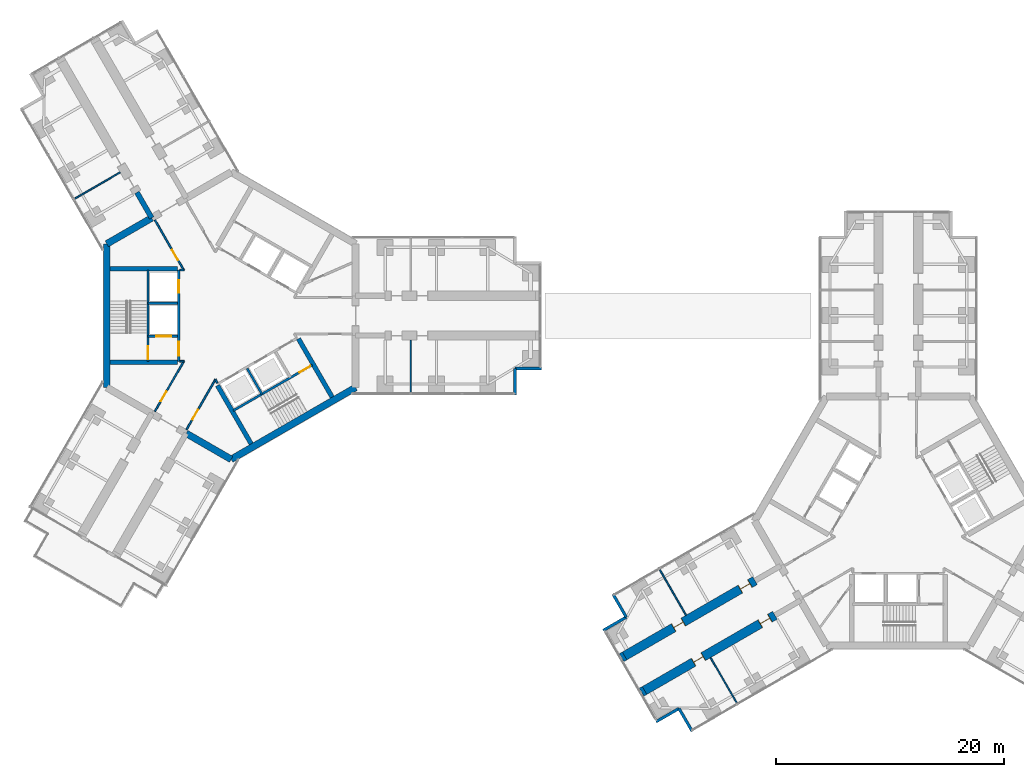
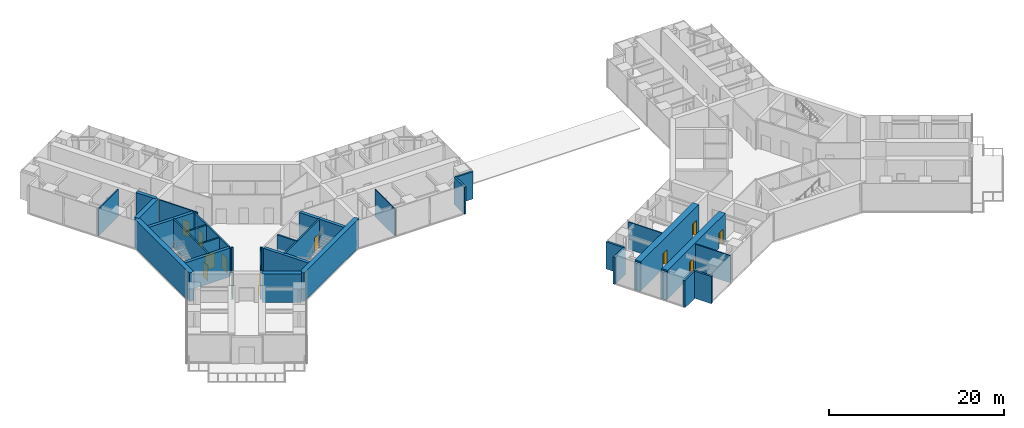
# One storey, part 15 of 22: 35 walls, 12 doors, 12 openings.
"""IFC4 building model written with IfcOpenShell, lengths in metres."""

from ifc_helpers import new_model, si_unit, direction, frame, frame_2d, origin, place, context, subcontext, project, spatial, rectangle, extrude, material, layer, layer_set, type_object, element, fill, save


model = new_model("IFC4")

# Units and contexts
model_context = context("Model", 3, precision=1e-05, world=origin(), true_north=direction((0.0, 1.0)))
body_context = subcontext(model_context, "Body", "Model", "MODEL_VIEW")
ifc_project = project(units=[si_unit("LENGTHUNIT", "METRE"), si_unit("AREAUNIT", "SQUARE_METRE"), si_unit("VOLUMEUNIT", "CUBIC_METRE"), si_unit("PLANEANGLEUNIT", "RADIAN"), si_unit("MASSUNIT", "GRAM", prefix="KILO")], contexts=[model_context])

# Site, building, storey
site_placement = place(None, origin())
site = spatial("IfcSite", under=ifc_project, at=site_placement, CompositionType="ELEMENT")
building_placement = place(site_placement, origin())
building = spatial("IfcBuilding", under=site, at=building_placement, Name="Upepo Twin Towers", CompositionType="ELEMENT")
storey_placement = place(building_placement, frame((0.0, 0.0, 97.5)))
storey = spatial("IfcBuildingStorey", under=building, at=storey_placement, Name="L23", CompositionType="ELEMENT", Elevation=97.5)

# Walls
ifc_material_1 = material(Name="Dense concrete blockwork", Category="masonry")
ifc_layer_1 = layer(ifc_material_1, 0.800048828125)
ifc_layer_set_1 = layer_set([ifc_layer_1], Name="Buttress closer 800, blockwork with fire-stopping to the curtain wall")
wall_type_1 = type_object("IfcWallType", Name="Buttress closer 800, blockwork with fire-stopping to the curtain wall", PredefinedType="PARTITIONING", material=ifc_layer_set_1)
wall_1_placement = place(storey_placement, frame((36.252197265625, -32.865478515625, 0.0), z_axis=(0.0, 0.0, 1.0), x_axis=(-0.865778900179, -0.500426713919, 0.0)))
element("IfcWall", 1, at=wall_1_placement, inside=storey, type_object=wall_type_1, Name="T2 L23 wing B buttress closer L", PredefinedType="PARTITIONING", context=body_context, shape_type="SweptSolid", body=[
    extrude(rectangle(XDim=0.300048828125, YDim=0.800048828125, at=frame_2d((0.14990234375, 0.0))), origin(), (0.0, 0.0, 1.0), 3.800048828125),
])
wall_2_placement = place(storey_placement, frame((34.502197265625, -29.83447265625, 0.0), z_axis=(0.0, 0.0, 1.0), x_axis=(-0.866131372301, -0.499816412211, 0.0)))
element("IfcWall", 2, at=wall_2_placement, inside=storey, type_object=wall_type_1, Name="T2 L23 wing B buttress closer R", PredefinedType="PARTITIONING", context=body_context, shape_type="SweptSolid", body=[
    extrude(rectangle(XDim=0.2998046875, YDim=0.800048828125, at=frame_2d((0.14990234375, 0.0))), origin(), (0.0, 0.0, 1.0), 3.800048828125),
])
ifc_material_2 = material(Name="Concrete C60/75", Category="concrete")
ifc_layer_2 = layer(ifc_material_2, 0.449951171875)
ifc_layer_set_2 = layer_set([ifc_layer_2], Name="Concrete C60/75")
wall_type_2 = type_object("IfcWallType", Name="Buttress wall 450 RC", PredefinedType="SHEAR", material=ifc_layer_set_2)
wall_3_placement = place(storey_placement, frame((-6.9697265625, 8.57177734375, 0.0), z_axis=(0.0, 0.0, 1.0), x_axis=(-0.499988811324, 0.866031863473, 0.0)))
element("IfcWall", 3, at=wall_3_placement, inside=storey, type_object=wall_type_2, Name="T1 wing B buttress wall L", PredefinedType="SHEAR", context=body_context, shape_type="SweptSolid", body=[
    extrude(rectangle(XDim=2.591796875, YDim=0.449951171875, at=frame_2d((1.2958984375, 0.0))), origin(), (0.0, 0.0, 1.0), 4.0),
])

# Wall, openings, doors
ifc_material_3 = material(Name="Concrete C60/75", Category="concrete")
ifc_layer_3 = layer(ifc_material_3, 0.800048828125)
ifc_layer_set_3 = layer_set([ifc_layer_3], Name="Concrete C60/75")
wall_type_3 = type_object("IfcWallType", Name="Buttress wall 800 RC", PredefinedType="SHEAR", material=ifc_layer_set_3)
wall_4_placement = place(storey_placement, frame((47.68359375, -26.265625, 0.0), z_axis=(0.0, 0.0, 1.0), x_axis=(-0.866027579429, -0.499996231654, 0.0)))
wall_4 = element("IfcWall", 4, at=wall_4_placement, inside=storey, type_object=wall_type_3, Name="T2 wing B buttress wall L part 2", PredefinedType="SHEAR", context=body_context, shape_type="SweptSolid", body=[
    extrude(rectangle(XDim=13.19970703125, YDim=0.800048828125, at=frame_2d((6.599853515625, 0.0))), origin(), (0.0, 0.0, 1.0), 4.0),
])
opening_1_placement = place(wall_4_placement, frame((0.5, 0.0, 0.0)))
opening_1 = element("IfcOpeningElement", 5, at=opening_1_placement, cuts=wall_4, Name="Opening D15", PredefinedType="OPENING", context=body_context, shape_type="SweptSolid", body=[
    extrude(rectangle(XDim=1.0, YDim=2.10009765625, at=frame_2d((0.5, 1.050048828125))), frame((0.0, 0.409912109375, 0.0), z_axis=(0.0, -1.0, 0.0), x_axis=(1.0, 0.0, 0.0)), (0.0, 0.0, 1.0), 0.820068359375),
])
opening_2_placement = place(wall_4_placement, frame((7.25, 0.0, 0.0)))
opening_2 = element("IfcOpeningElement", 6, at=opening_2_placement, cuts=wall_4, Name="Opening D15", PredefinedType="OPENING", context=body_context, shape_type="SweptSolid", body=[
    extrude(rectangle(XDim=1.0, YDim=2.10009765625, at=frame_2d((0.5, 1.050048828125))), frame((0.0, 0.409912109375, 0.0), z_axis=(0.0, -1.0, 0.0), x_axis=(1.0, 0.0, 0.0)), (0.0, 0.0, 1.0), 0.820068359375),
])
ifc_material_4 = material(Name="Timber doorset", Category="wood")
door_type_1 = type_object("IfcDoorType", Name="Glazed door 1000 FD30", OperationType="SINGLE_SWING_LEFT", PredefinedType="DOOR", material=ifc_material_4)
door_1_placement = place(opening_1_placement, origin())
door_1 = element("IfcDoor", 7, at=door_1_placement, inside=storey, type_object=door_type_1, Name="T2 L23 postgraduate research office door", OperationType="SINGLE_SWING_LEFT", OverallHeight=2.10009765625, OverallWidth=1.0, PredefinedType="DOOR", context=body_context, shape_type="SweptSolid", body=[
    extrude(rectangle(XDim=0.92, YDim=2.06009765625, at=frame_2d((0.5, 1.030029296875))), frame((0.0, 0.02490234375, 0.0), z_axis=(0.0, -1.0, 0.0), x_axis=(1.0, 0.0, 0.0)), (0.0, 0.0, 1.0), 0.050048828125),
    extrude(rectangle(XDim=0.04, YDim=2.10009765625, at=frame_2d((0.02001953125, 1.050048828125))), frame((0.0, 0.39990234375, 0.0), z_axis=(0.0, -1.0, 0.0), x_axis=(1.0, 0.0, 0.0)), (0.0, 0.0, 1.0), 0.799560546875),
    extrude(rectangle(XDim=0.04, YDim=2.10009765625, at=frame_2d((0.97998046875, 1.050048828125))), frame((0.0, 0.39990234375, 0.0), z_axis=(0.0, -1.0, 0.0), x_axis=(1.0, 0.0, 0.0)), (0.0, 0.0, 1.0), 0.799560546875),
    extrude(rectangle(XDim=0.92, YDim=0.04, at=frame_2d((0.5, 2.080078125))), frame((0.0, 0.39990234375, 0.0), z_axis=(0.0, -1.0, 0.0), x_axis=(1.0, 0.0, 0.0)), (0.0, 0.0, 1.0), 0.799560546875),
])
fill(opening_1, door_1)
door_2_placement = place(opening_2_placement, origin())
door_2 = element("IfcDoor", 8, at=door_2_placement, inside=storey, type_object=door_type_1, Name="T2 L23 faculty office door", OperationType="SINGLE_SWING_RIGHT", OverallHeight=2.10009765625, OverallWidth=1.0, PredefinedType="DOOR", context=body_context, shape_type="SweptSolid", body=[
    extrude(rectangle(XDim=0.92, YDim=2.06009765625, at=frame_2d((0.5, 1.030029296875))), frame((0.0, 0.02490234375, 0.0), z_axis=(0.0, -1.0, 0.0), x_axis=(1.0, 0.0, 0.0)), (0.0, 0.0, 1.0), 0.050048828125),
    extrude(rectangle(XDim=0.04, YDim=2.10009765625, at=frame_2d((0.02001953125, 1.050048828125))), frame((0.0, 0.39990234375, 0.0), z_axis=(0.0, -1.0, 0.0), x_axis=(1.0, 0.0, 0.0)), (0.0, 0.0, 1.0), 0.799560546875),
    extrude(rectangle(XDim=0.04, YDim=2.10009765625, at=frame_2d((0.97998046875, 1.050048828125))), frame((0.0, 0.39990234375, 0.0), z_axis=(0.0, -1.0, 0.0), x_axis=(1.0, 0.0, 0.0)), (0.0, 0.0, 1.0), 0.799560546875),
    extrude(rectangle(XDim=0.92, YDim=0.04, at=frame_2d((0.5, 2.080078125))), frame((0.0, 0.39990234375, 0.0), z_axis=(0.0, -1.0, 0.0), x_axis=(1.0, 0.0, 0.0)), (0.0, 0.0, 1.0), 0.799560546875),
])
fill(opening_2, door_2)

wall_5_placement = place(storey_placement, frame((45.93359375, -23.234375, 0.0), z_axis=(0.0, 0.0, 1.0), x_axis=(-0.866019570528, -0.500010103361, 0.0)))
wall_5 = element("IfcWall", 9, at=wall_5_placement, inside=storey, type_object=wall_type_3, Name="T2 wing B buttress wall R part 2", PredefinedType="SHEAR", context=body_context, shape_type="SweptSolid", body=[
    extrude(rectangle(XDim=13.199951171875, YDim=0.800048828125, at=frame_2d((6.60009765625, 0.0))), origin(), (0.0, 0.0, 1.0), 4.0),
])
opening_3_placement = place(wall_5_placement, frame((0.5, 0.0, 0.0)))
opening_3 = element("IfcOpeningElement", 10, at=opening_3_placement, cuts=wall_5, Name="Opening D15", PredefinedType="OPENING", context=body_context, shape_type="SweptSolid", body=[
    extrude(rectangle(XDim=1.0, YDim=2.10009765625, at=frame_2d((0.5, 1.050048828125))), frame((0.0, 0.409912109375, 0.0), z_axis=(0.0, -1.0, 0.0), x_axis=(1.0, 0.0, 0.0)), (0.0, 0.0, 1.0), 0.820068359375),
])
opening_4_placement = place(wall_5_placement, frame((7.25, 0.0, 0.0)))
opening_4 = element("IfcOpeningElement", 11, at=opening_4_placement, cuts=wall_5, Name="Opening D15", PredefinedType="OPENING", context=body_context, shape_type="SweptSolid", body=[
    extrude(rectangle(XDim=1.0, YDim=2.10009765625, at=frame_2d((0.5, 1.050048828125))), frame((0.0, 0.409912109375, 0.0), z_axis=(0.0, -1.0, 0.0), x_axis=(1.0, 0.0, 0.0)), (0.0, 0.0, 1.0), 0.820068359375),
])
door_3_placement = place(opening_3_placement, origin())
door_3 = element("IfcDoor", 12, at=door_3_placement, inside=storey, type_object=door_type_1, Name="T2 L23 postgraduate research office door", OperationType="SINGLE_SWING_LEFT", OverallHeight=2.10009765625, OverallWidth=1.0, PredefinedType="DOOR", context=body_context, shape_type="SweptSolid", body=[
    extrude(rectangle(XDim=0.92, YDim=2.06009765625, at=frame_2d((0.5, 1.030029296875))), frame((0.0, 0.02490234375, 0.0), z_axis=(0.0, -1.0, 0.0), x_axis=(1.0, 0.0, 0.0)), (0.0, 0.0, 1.0), 0.050048828125),
    extrude(rectangle(XDim=0.04, YDim=2.10009765625, at=frame_2d((0.02001953125, 1.050048828125))), frame((0.0, 0.39990234375, 0.0), z_axis=(0.0, -1.0, 0.0), x_axis=(1.0, 0.0, 0.0)), (0.0, 0.0, 1.0), 0.799560546875),
    extrude(rectangle(XDim=0.04, YDim=2.10009765625, at=frame_2d((0.97998046875, 1.050048828125))), frame((0.0, 0.39990234375, 0.0), z_axis=(0.0, -1.0, 0.0), x_axis=(1.0, 0.0, 0.0)), (0.0, 0.0, 1.0), 0.799560546875),
    extrude(rectangle(XDim=0.92, YDim=0.04, at=frame_2d((0.5, 2.080078125))), frame((0.0, 0.39990234375, 0.0), z_axis=(0.0, -1.0, 0.0), x_axis=(1.0, 0.0, 0.0)), (0.0, 0.0, 1.0), 0.799560546875),
])
fill(opening_3, door_3)
door_4_placement = place(opening_4_placement, origin())
door_4 = element("IfcDoor", 13, at=door_4_placement, inside=storey, type_object=door_type_1, Name="T2 L23 faculty office door", OperationType="SINGLE_SWING_RIGHT", OverallHeight=2.10009765625, OverallWidth=1.0, PredefinedType="DOOR", context=body_context, shape_type="SweptSolid", body=[
    extrude(rectangle(XDim=0.92, YDim=2.06009765625, at=frame_2d((0.5, 1.030029296875))), frame((0.0, 0.02490234375, 0.0), z_axis=(0.0, -1.0, 0.0), x_axis=(1.0, 0.0, 0.0)), (0.0, 0.0, 1.0), 0.050048828125),
    extrude(rectangle(XDim=0.04, YDim=2.10009765625, at=frame_2d((0.02001953125, 1.050048828125))), frame((0.0, 0.39990234375, 0.0), z_axis=(0.0, -1.0, 0.0), x_axis=(1.0, 0.0, 0.0)), (0.0, 0.0, 1.0), 0.799560546875),
    extrude(rectangle(XDim=0.04, YDim=2.10009765625, at=frame_2d((0.97998046875, 1.050048828125))), frame((0.0, 0.39990234375, 0.0), z_axis=(0.0, -1.0, 0.0), x_axis=(1.0, 0.0, 0.0)), (0.0, 0.0, 1.0), 0.799560546875),
    extrude(rectangle(XDim=0.92, YDim=0.04, at=frame_2d((0.5, 2.080078125))), frame((0.0, 0.39990234375, 0.0), z_axis=(0.0, -1.0, 0.0), x_axis=(1.0, 0.0, 0.0)), (0.0, 0.0, 1.0), 0.799560546875),
])
fill(opening_4, door_4)

# Walls
ifc_material_5 = material(Name="Concrete C60/75", Category="concrete")
ifc_layer_4 = layer(ifc_material_5, 0.60009765625)
ifc_layer_set_4 = layer_set([ifc_layer_4], Name="Concrete C60/75")
wall_type_4 = type_object("IfcWallType", Name="Core wall 600 RC", PredefinedType="SHEAR", material=ifc_layer_set_4)
wall_6_placement = place(storey_placement, frame((-6.9697265625, 8.57177734375, 0.0), z_axis=(0.0, 0.0, 1.0), x_axis=(-0.866034513004, -0.499984222037, 0.0)))
element("IfcWall", 14, at=wall_6_placement, inside=storey, type_object=wall_type_4, Name="T1 core wall 120 L", PredefinedType="SHEAR", context=body_context, shape_type="SweptSolid", body=[
    extrude(rectangle(XDim=4.548095703125, YDim=0.60009765625, at=frame_2d((2.27392578125, 0.0))), origin(), (0.0, 0.0, 1.0), 4.0),
])
wall_7_placement = place(storey_placement, frame((-10.908447265625, 6.2978515625, 0.0), z_axis=(0.0, 0.0, 1.0), x_axis=(0.0, -1.0, 0.0)))
element("IfcWall", 15, at=wall_7_placement, inside=storey, type_object=wall_type_4, Name="T1 core wall 180", PredefinedType="SHEAR", context=body_context, shape_type="SweptSolid", body=[
    extrude(rectangle(XDim=12.595703125, YDim=0.60009765625, at=frame_2d((6.2978515625, 0.0))), origin(), (0.0, 0.0, 1.0), 4.0),
])
wall_8_placement = place(storey_placement, frame((-3.938720703125, -10.32177734375, 0.0), z_axis=(0.0, 0.0, 1.0), x_axis=(0.866011268655, -0.500024481964, 0.0)))
element("IfcWall", 16, at=wall_8_placement, inside=storey, type_object=wall_type_4, Name="T1 core wall 240 L", PredefinedType="SHEAR", context=body_context, shape_type="SweptSolid", body=[
    extrude(rectangle(XDim=4.548095703125, YDim=0.60009765625, at=frame_2d((2.27392578125, 0.0))), origin(), (0.0, 0.0, 1.0), 4.0),
])
wall_9_placement = place(storey_placement, frame((0.0, -12.595947265625, 0.0), z_axis=(0.0, 0.0, 1.0), x_axis=(0.866021940709, 0.500005998175, 0.0)))
element("IfcWall", 17, at=wall_9_placement, inside=storey, type_object=wall_type_4, Name="T1 core wall 300", PredefinedType="SHEAR", context=body_context, shape_type="SweptSolid", body=[
    extrude(rectangle(XDim=12.595947265625, YDim=0.60009765625, at=frame_2d((6.2978515625, 0.0))), origin(), (0.0, 0.0, 1.0), 4.0),
])
ifc_material_6 = material(Name="Laminated glass in an aluminium frame", Category="aluminium")
ifc_layer_5 = layer(ifc_material_6, 0.1201171875)
ifc_layer_set_5 = layer_set([ifc_layer_5], Name="Glazed partition 120, aluminium framed")
wall_type_5 = type_object("IfcWallType", Name="Glazed partition 120, aluminium framed", PredefinedType="PARTITIONING", material=ifc_layer_set_5)
wall_10_placement = place(storey_placement, frame((15.75, -2.14990234375, 0.0), z_axis=(0.0, 0.0, 1.0), x_axis=(0.0, -1.0, 0.0)))
element("IfcWall", 18, at=wall_10_placement, inside=storey, type_object=wall_type_5, Name="T1 partition AR at 15.75", PredefinedType="PARTITIONING", context=body_context, shape_type="SweptSolid", body=[
    extrude(rectangle(XDim=4.60009765625, YDim=0.1201171875, at=frame_2d((2.300048828125, 0.0))), origin(), (0.0, 0.0, 1.0), 3.800048828125),
])
for number, where, z_axis, x_axis, name in (
    (19, (-9.737060546875, 12.56494140625, 0.0), (0.0, 0.0, 1.0), (-0.866016770315, -0.500014953309, 0.0), "T1 partition BL at 15.75"),
    (20, (42.0380859375, -29.987060546875, 0.0), (0.0, 0.0, 1.0), (0.499975146636, -0.866039752405, 0.0), "T2 partition BL at 20.25"),
    (21, (39.887939453125, -26.262939453125, 0.0), (0.0, 0.0, 1.0), (-0.500014953309, 0.866016770315, 0.0), "T2 partition BR at 20.25"),
):
    element("IfcWall", number, at=place(storey_placement, frame(where, z_axis=z_axis, x_axis=x_axis)), inside=storey, type_object=wall_type_5, Name=name, PredefinedType="PARTITIONING", context=body_context, shape_type="SweptSolid", body=[
        extrude(rectangle(XDim=4.599853515625, YDim=0.1201171875, at=frame_2d((2.2998046875, 0.0))), origin(), (0.0, 0.0, 1.0), 3.800048828125),
    ])
ifc_material_7 = material(Name="Blockwork with anodised aluminium cladding", Category="masonry")
ifc_layer_6 = layer(ifc_material_7, 0.25)
ifc_layer_set_6 = layer_set([ifc_layer_6], Name="Notch cladding wall 250, pale metal")
wall_type_6 = type_object("IfcWallType", Name="Notch cladding wall 250, pale metal", PredefinedType="STANDARD", material=ifc_layer_set_6)
for number, where, z_axis, x_axis, name in (
    (22, (24.875, -6.949951171875, 0.0), (0.0, 0.0, 1.0), (0.0, 1.0, 0.0), "T1 L23 wing A notch wall R1"),
    (23, (24.875, -4.625, 0.0), (0.0, 0.0, 1.0), (1.0, 0.0, 0.0), "T1 L23 wing A notch wall R2"),
    (24, (40.4326171875, -36.456298828125, 0.0), (0.0, 0.0, 1.0), (-0.500046648681, 0.865998469481, 0.0), "T2 L23 wing B notch wall L1"),
    (25, (39.27001953125, -34.44287109375, 0.0), (0.0, 0.0, 1.0), (-0.865998469481, -0.500046648681, 0.0), "T2 L23 wing B notch wall L2"),
    (26, (33.482666015625, -24.418701171875, 0.0), (0.0, 0.0, 1.0), (0.499967891604, -0.866043940782, 0.0), "T2 L23 wing B notch wall R1"),
    (27, (34.64501953125, -26.43212890625, 0.0), (0.0, 0.0, 1.0), (-0.865998469481, -0.500046648681, 0.0), "T2 L23 wing B notch wall R2"),
):
    element("IfcWall", number, at=place(storey_placement, frame(where, z_axis=z_axis, x_axis=x_axis)), inside=storey, type_object=wall_type_6, Name=name, PredefinedType="STANDARD", context=body_context, shape_type="SweptSolid", body=[
        extrude(rectangle(XDim=2.324951171875, YDim=0.25, at=frame_2d((1.16259765625, 0.0))), origin(), (0.0, 0.0, 1.0), 3.800048828125),
    ])

# Wall, openings, doors
ifc_material_8 = material(Name="Concrete C40/50", Category="concrete")
ifc_layer_7 = layer(ifc_material_8, 0.199951171875)
ifc_layer_set_7 = layer_set([ifc_layer_7], Name="Concrete C40/50")
wall_type_7 = type_object("IfcWallType", Name="Shaft wall 200 RC", PredefinedType="SHEAR", material=ifc_layer_set_7)
wall_11_placement = place(storey_placement, frame((-4.60009765625, 4.0, 0.0), z_axis=(0.0, 0.0, 1.0), x_axis=(0.0, -1.0, 0.0)))
wall_11 = element("IfcWall", 28, at=wall_11_placement, inside=storey, type_object=wall_type_7, Name="T1 core W180 front wall", PredefinedType="SHEAR", context=body_context, shape_type="SweptSolid", body=[
    extrude(rectangle(XDim=8.0, YDim=0.199951171875, at=frame_2d((4.0, 0.0))), origin(), (0.0, 0.0, 1.0), 4.0),
])
opening_5_placement = place(wall_11_placement, frame((6.300048828125, 0.0, 0.0)))
opening_5 = element("IfcOpeningElement", 29, at=opening_5_placement, cuts=wall_11, Name="Opening D4", PredefinedType="OPENING", context=body_context, shape_type="SweptSolid", body=[
    extrude(rectangle(XDim=1.199951171875, YDim=2.10009765625, at=frame_2d((0.60009765625, 1.050048828125))), frame((0.0, 0.10986328125, 0.0), z_axis=(0.0, -1.0, 0.0), x_axis=(1.0, 0.0, 0.0)), (0.0, 0.0, 1.0), 0.219970703125),
])
opening_6_placement = place(wall_11_placement, frame((0.89990234375, 0.0, 0.0)))
opening_6 = element("IfcOpeningElement", 30, at=opening_6_placement, cuts=wall_11, Name="Opening LD1", PredefinedType="OPENING", context=body_context, shape_type="SweptSolid", body=[
    extrude(rectangle(XDim=1.10009765625, YDim=2.199951171875, at=frame_2d((0.550048828125, 1.10009765625))), frame((0.0, 0.10986328125, 0.0), z_axis=(0.0, -1.0, 0.0), x_axis=(1.0, 0.0, 0.0)), (0.0, 0.0, 1.0), 0.219970703125),
])
ifc_material_9 = material(Name="Steel doorset", Category="steel")
door_type_2 = type_object("IfcDoorType", Name="Lift landing door 1100", OperationType="DOUBLE_DOOR_SLIDING", PredefinedType="DOOR", material=ifc_material_9)
door_5_placement = place(opening_6_placement, origin())
door_5 = element("IfcDoor", 31, at=door_5_placement, inside=storey, type_object=door_type_2, Name="T1 L23 lift SV1 landing door", OperationType="DOUBLE_DOOR_SLIDING", OverallHeight=2.199951171875, OverallWidth=1.10009765625, PredefinedType="DOOR", context=body_context, shape_type="SweptSolid", body=[
    extrude(rectangle(XDim=1.10009765625, YDim=2.199951171875, at=frame_2d((0.550048828125, 1.10009765625))), frame((0.0, 0.02490234375, 0.0), z_axis=(0.0, -1.0, 0.0), x_axis=(1.0, 0.0, 0.0)), (0.0, 0.0, 1.0), 0.050048828125),
])
fill(opening_6, door_5)
ifc_material_10 = material(Name="Timber doorset", Category="wood")
door_type_3 = type_object("IfcDoorType", Name="Lobby door 1200 FD60", OperationType="SINGLE_SWING_LEFT", PredefinedType="DOOR", material=ifc_material_10)
door_6_placement = place(opening_5_placement, origin())
door_6 = element("IfcDoor", 32, at=door_6_placement, inside=storey, type_object=door_type_3, Name="T1 L23 W180 lobby door", OperationType="SINGLE_SWING_RIGHT", OverallHeight=2.10009765625, OverallWidth=1.199951171875, PredefinedType="DOOR", context=body_context, shape_type="SweptSolid", body=[
    extrude(rectangle(XDim=1.199951171875, YDim=2.10009765625, at=frame_2d((0.60009765625, 1.050048828125))), frame((0.0, 0.02490234375, 0.0), z_axis=(0.0, -1.0, 0.0), x_axis=(1.0, 0.0, 0.0)), (0.0, 0.0, 1.0), 0.050048828125),
])
fill(opening_5, door_6)

# Wall
wall_12_placement = place(storey_placement, frame((-4.699951171875, 1.10009765625, 0.0), z_axis=(0.0, 0.0, 1.0), x_axis=(-1.0, 0.0, 0.0)))
element("IfcWall", 33, at=wall_12_placement, inside=storey, type_object=wall_type_7, Name="T1 core W180 shaft divider", PredefinedType="SHEAR", context=body_context, shape_type="SweptSolid", body=[
    extrude(rectangle(XDim=2.60009765625, YDim=0.199951171875, at=frame_2d((1.300048828125, 0.0))), origin(), (0.0, 0.0, 1.0), 4.0),
])

# Wall, opening, door
wall_13_placement = place(storey_placement, frame((-4.699951171875, -1.800048828125, 0.0), z_axis=(0.0, 0.0, 1.0), x_axis=(-1.0, 0.0, 0.0)))
wall_13 = element("IfcWall", 34, at=wall_13_placement, inside=storey, type_object=wall_type_7, Name="T1 core W180 lobby wall", PredefinedType="SHEAR", context=body_context, shape_type="SweptSolid", body=[
    extrude(rectangle(XDim=2.60009765625, YDim=0.199951171875, at=frame_2d((1.300048828125, 0.0))), origin(), (0.0, 0.0, 1.0), 4.0),
])
opening_7_placement = place(wall_13_placement, frame((0.550048828125, 0.0, 0.0)))
opening_7 = element("IfcOpeningElement", 35, at=opening_7_placement, cuts=wall_13, Name="Opening LD2", PredefinedType="OPENING", context=body_context, shape_type="SweptSolid", body=[
    extrude(rectangle(XDim=1.300048828125, YDim=2.199951171875, at=frame_2d((0.64990234375, 1.10009765625))), frame((0.0, 0.10986328125, 0.0), z_axis=(0.0, -1.0, 0.0), x_axis=(1.0, 0.0, 0.0)), (0.0, 0.0, 1.0), 0.219970703125),
])
ifc_material_11 = material(Name="Steel doorset", Category="steel")
door_type_4 = type_object("IfcDoorType", Name="Firefighting lift landing door 1300", OperationType="DOUBLE_DOOR_SLIDING", PredefinedType="DOOR", material=ifc_material_11)
door_7_placement = place(opening_7_placement, origin())
door_7 = element("IfcDoor", 36, at=door_7_placement, inside=storey, type_object=door_type_4, Name="T1 L23 firefighting lift landing door", OperationType="DOUBLE_DOOR_SLIDING", OverallHeight=2.199951171875, OverallWidth=1.300048828125, PredefinedType="DOOR", context=body_context, shape_type="SweptSolid", body=[
    extrude(rectangle(XDim=1.300048828125, YDim=2.199951171875, at=frame_2d((0.64990234375, 1.10009765625))), frame((0.0, 0.02490234375, 0.0), z_axis=(0.0, -1.0, 0.0), x_axis=(1.0, 0.0, 0.0)), (0.0, 0.0, 1.0), 0.050048828125),
])
fill(opening_7, door_7)

wall_14_placement = place(storey_placement, frame((-7.300048828125, 4.0, 0.0), z_axis=(0.0, 0.0, 1.0), x_axis=(0.0, -1.0, 0.0)))
wall_14 = element("IfcWall", 37, at=wall_14_placement, inside=storey, type_object=wall_type_7, Name="T1 core W180 stair wall", PredefinedType="SHEAR", context=body_context, shape_type="SweptSolid", body=[
    extrude(rectangle(XDim=8.0, YDim=0.199951171875, at=frame_2d((4.0, 0.0))), origin(), (0.0, 0.0, 1.0), 4.0),
])
opening_8_placement = place(wall_14_placement, frame((6.699951171875, 0.0, 0.0)))
opening_8 = element("IfcOpeningElement", 38, at=opening_8_placement, cuts=wall_14, Name="Opening D3", PredefinedType="OPENING", context=body_context, shape_type="SweptSolid", body=[
    extrude(rectangle(XDim=1.10009765625, YDim=2.10009765625, at=frame_2d((0.550048828125, 1.050048828125))), frame((0.0, 0.10986328125, 0.0), z_axis=(0.0, -1.0, 0.0), x_axis=(1.0, 0.0, 0.0)), (0.0, 0.0, 1.0), 0.219970703125),
])
ifc_material_12 = material(Name="Timber doorset", Category="wood")
door_type_5 = type_object("IfcDoorType", Name="Stair door 1100 FD60", OperationType="SINGLE_SWING_LEFT", PredefinedType="DOOR", material=ifc_material_12)
door_8_placement = place(opening_8_placement, origin())
door_8 = element("IfcDoor", 39, at=door_8_placement, inside=storey, type_object=door_type_5, Name="T1 L23 stair door", OperationType="SINGLE_SWING_RIGHT", OverallHeight=2.10009765625, OverallWidth=1.10009765625, PredefinedType="DOOR", context=body_context, shape_type="SweptSolid", body=[
    extrude(rectangle(XDim=1.10009765625, YDim=2.10009765625, at=frame_2d((0.550048828125, 1.050048828125))), frame((0.0, 0.02490234375, 0.0), z_axis=(0.0, -1.0, 0.0), x_axis=(1.0, 0.0, 0.0)), (0.0, 0.0, 1.0), 0.050048828125),
])
fill(opening_8, door_8)

# Wall
wall_15_placement = place(storey_placement, frame((1.3974609375, -4.620361328125, 0.0), z_axis=(0.0, 0.0, 1.0), x_axis=(0.499936506574, -0.866062058628, 0.0)))
element("IfcWall", 40, at=wall_15_placement, inside=storey, type_object=wall_type_7, Name="T1 core W300 shaft divider", PredefinedType="SHEAR", context=body_context, shape_type="SweptSolid", body=[
    extrude(rectangle(XDim=2.599853515625, YDim=0.199951171875, at=frame_2d((1.2998046875, 0.0))), origin(), (0.0, 0.0, 1.0), 4.0),
])

# Wall, opening, door
wall_16_placement = place(storey_placement, frame((0.185791015625, -8.322021484375, 0.0), z_axis=(0.0, 0.0, 1.0), x_axis=(0.866026010844, 0.49999894854, 0.0)))
wall_16 = element("IfcWall", 41, at=wall_16_placement, inside=storey, type_object=wall_type_7, Name="T1 core W300 stair wall", PredefinedType="SHEAR", context=body_context, shape_type="SweptSolid", body=[
    extrude(rectangle(XDim=8.0, YDim=0.199951171875, at=frame_2d((4.0, 0.0))), origin(), (0.0, 0.0, 1.0), 4.0),
])
opening_9_placement = place(wall_16_placement, frame((6.699951171875, 0.0, 0.0)))
opening_9 = element("IfcOpeningElement", 42, at=opening_9_placement, cuts=wall_16, Name="Opening D3", PredefinedType="OPENING", context=body_context, shape_type="SweptSolid", body=[
    extrude(rectangle(XDim=1.10009765625, YDim=2.10009765625, at=frame_2d((0.550048828125, 1.050048828125))), frame((0.0, 0.10986328125, 0.0), z_axis=(0.0, -1.0, 0.0), x_axis=(1.0, 0.0, 0.0)), (0.0, 0.0, 1.0), 0.219970703125),
])
door_9_placement = place(opening_9_placement, origin())
door_9 = element("IfcDoor", 43, at=door_9_placement, inside=storey, type_object=door_type_5, Name="T1 L23 stair door", OperationType="SINGLE_SWING_RIGHT", OverallHeight=2.10009765625, OverallWidth=1.10009765625, PredefinedType="DOOR", context=body_context, shape_type="SweptSolid", body=[
    extrude(rectangle(XDim=1.10009765625, YDim=2.10009765625, at=frame_2d((0.550048828125, 1.050048828125))), frame((0.0, 0.02490234375, 0.0), z_axis=(0.0, -1.0, 0.0), x_axis=(1.0, 0.0, 0.0)), (0.0, 0.0, 1.0), 0.050048828125),
])
fill(opening_9, door_9)

# Walls
ifc_material_13 = material(Name="Concrete C40/50", Category="concrete")
ifc_layer_8 = layer(ifc_material_13, 0.39990234375)
ifc_layer_set_8 = layer_set([ifc_layer_8], Name="Concrete C40/50")
wall_type_8 = type_object("IfcWallType", Name="Shaft wall 400 RC", PredefinedType="SHEAR", material=ifc_layer_set_8)
for number, where, z_axis, x_axis, name in (
    (44, (-4.699951171875, -4.10009765625, 0.0), (0.0, 0.0, 1.0), (-1.0, 0.0, 0.0), "T1 core W180 side wall N"),
    (45, (-4.699951171875, 4.10009765625, 0.0), (0.0, 0.0, 1.0), (-1.0, 0.0, 0.0), "T1 core W180 side wall S"),
    (46, (5.900634765625, -2.020263671875, 0.0), (0.0, 0.0, 1.0), (0.500027676417, -0.866009424208, 0.0), "T1 core W300 side wall N"),
):
    element("IfcWall", number, at=place(storey_placement, frame(where, z_axis=z_axis, x_axis=x_axis)), inside=storey, type_object=wall_type_8, Name=name, PredefinedType="SHEAR", context=body_context, shape_type="SweptSolid", body=[
        extrude(rectangle(XDim=5.908447265625, YDim=0.39990234375, at=frame_2d((2.9541015625, 0.0))), origin(), (0.0, 0.0, 1.0), 4.0),
    ])
wall_17_placement = place(storey_placement, frame((-1.20068359375, -6.120361328125, 0.0), z_axis=(0.0, 0.0, 1.0), x_axis=(0.49999668571, -0.866027317282, 0.0)))
element("IfcWall", 47, at=wall_17_placement, inside=storey, type_object=wall_type_8, Name="T1 core W300 side wall S", PredefinedType="SHEAR", context=body_context, shape_type="SweptSolid", body=[
    extrude(rectangle(XDim=5.908203125, YDim=0.39990234375, at=frame_2d((2.9541015625, 0.0))), origin(), (0.0, 0.0, 1.0), 4.0),
])
ifc_material_14 = material(Name="Gypsum board on steel studs", Category="steel")
ifc_layer_9 = layer(ifc_material_14, 0.14990234375)
ifc_layer_set_9 = layer_set([ifc_layer_9], Name="Teaching partition 150 acoustic")
wall_type_9 = type_object("IfcWallType", Name="Teaching partition 150 acoustic", PredefinedType="PARTITIONING", material=ifc_layer_set_9)
wall_18_placement = place(storey_placement, frame((-1.208984375, -5.90576171875, 0.0), z_axis=(0.0, 0.0, 1.0), x_axis=(-0.500081290722, 0.865978465477, 0.0)))
element("IfcWall", 48, at=wall_18_placement, inside=storey, type_object=wall_type_9, Name="T1 core room partition 1", PredefinedType="PARTITIONING", context=body_context, shape_type="SweptSolid", body=[
    extrude(rectangle(XDim=0.373046875, YDim=0.14990234375, at=frame_2d((0.1865234375, 0.0))), origin(), (0.0, 0.0, 1.0), 3.800048828125),
])

# Wall, opening, door
wall_19_placement = place(storey_placement, frame((-1.37548828125, -5.582763671875, 0.0), z_axis=(0.0, 0.0, 1.0), x_axis=(-0.500050086259, -0.865996484538, 0.0)))
wall_19 = element("IfcWall", 49, at=wall_19_placement, inside=storey, type_object=wall_type_9, Name="T1 core room partition 2", PredefinedType="PARTITIONING", context=body_context, shape_type="SweptSolid", body=[
    extrude(rectangle(XDim=5.095703125, YDim=0.14990234375, at=frame_2d((2.5478515625, 0.0))), origin(), (0.0, 0.0, 1.0), 3.800048828125),
])
opening_10_placement = place(wall_19_placement, frame((3.072998046875, 0.0, 0.0)))
opening_10 = element("IfcOpeningElement", 50, at=opening_10_placement, cuts=wall_19, Name="Opening D1", PredefinedType="OPENING", context=body_context, shape_type="SweptSolid", body=[
    extrude(rectangle(XDim=1.0, YDim=2.10009765625, at=frame_2d((0.5, 1.050048828125))), frame((0.0, 0.0849609375, 0.0), z_axis=(0.0, -1.0, 0.0), x_axis=(1.0, 0.0, 0.0)), (0.0, 0.0, 1.0), 0.169921875),
])
ifc_material_15 = material(Name="Timber doorset", Category="wood")
door_type_6 = type_object("IfcDoorType", Name="Room door 1000 FD30", OperationType="SINGLE_SWING_LEFT", PredefinedType="DOOR", material=ifc_material_15)
door_10_placement = place(opening_10_placement, origin())
door_10 = element("IfcDoor", 51, at=door_10_placement, inside=storey, type_object=door_type_6, Name="T1 L23 core room door K2", OperationType="SINGLE_SWING_RIGHT", OverallHeight=2.10009765625, OverallWidth=1.0, PredefinedType="DOOR", context=body_context, shape_type="SweptSolid", body=[
    extrude(rectangle(XDim=1.0, YDim=2.10009765625, at=frame_2d((0.5, 1.050048828125))), frame((0.0, 0.02490234375, 0.0), z_axis=(0.0, -1.0, 0.0), x_axis=(1.0, 0.0, 0.0)), (0.0, 0.0, 1.0), 0.050048828125),
])
fill(opening_10, door_10)

wall_20_placement = place(storey_placement, frame((-6.69482421875, -8.395751953125, 0.0), z_axis=(0.0, 0.0, 1.0), x_axis=(0.499993407537, 0.866029209911, 0.0)))
wall_20 = element("IfcWall", 52, at=wall_20_placement, inside=storey, type_object=wall_type_9, Name="T1 core room partition 3", PredefinedType="PARTITIONING", context=body_context, shape_type="SweptSolid", body=[
    extrude(rectangle(XDim=5.095703125, YDim=0.14990234375, at=frame_2d((2.5478515625, 0.0))), origin(), (0.0, 0.0, 1.0), 3.800048828125),
])
opening_11_placement = place(wall_20_placement, frame((1.022705078125, 0.0, 0.0)))
opening_11 = element("IfcOpeningElement", 53, at=opening_11_placement, cuts=wall_20, Name="Opening D1", PredefinedType="OPENING", context=body_context, shape_type="SweptSolid", body=[
    extrude(rectangle(XDim=1.0, YDim=2.10009765625, at=frame_2d((0.5, 1.050048828125))), frame((0.0, 0.0849609375, 0.0), z_axis=(0.0, -1.0, 0.0), x_axis=(1.0, 0.0, 0.0)), (0.0, 0.0, 1.0), 0.169921875),
])
door_11_placement = place(opening_11_placement, origin())
door_11 = element("IfcDoor", 54, at=door_11_placement, inside=storey, type_object=door_type_6, Name="T1 L23 core room door K1", OperationType="SINGLE_SWING_LEFT", OverallHeight=2.10009765625, OverallWidth=1.0, PredefinedType="DOOR", context=body_context, shape_type="SweptSolid", body=[
    extrude(rectangle(XDim=1.0, YDim=2.10009765625, at=frame_2d((0.5, 1.050048828125))), frame((0.0, 0.02490234375, 0.0), z_axis=(0.0, -1.0, 0.0), x_axis=(1.0, 0.0, 0.0)), (0.0, 0.0, 1.0), 0.050048828125),
])
fill(opening_11, door_11)

# Walls
for number, where, z_axis, x_axis, name in (
    (55, (-4.136962890625, -4.0, 0.0), (0.0, 0.0, 1.0), (-1.0, 0.0, 0.0), "T1 core room partition 4"),
    (56, (-4.510009765625, 4.0, 0.0), (0.0, 0.0, 1.0), (1.0, 0.0, 0.0), "T1 core room partition 5"),
):
    element("IfcWall", number, at=place(storey_placement, frame(where, z_axis=z_axis, x_axis=x_axis)), inside=storey, type_object=wall_type_9, Name=name, PredefinedType="PARTITIONING", context=body_context, shape_type="SweptSolid", body=[
        extrude(rectangle(XDim=0.373046875, YDim=0.14990234375, at=frame_2d((0.1865234375, 0.0))), origin(), (0.0, 0.0, 1.0), 3.800048828125),
    ])

# Wall, opening, door
wall_21_placement = place(storey_placement, frame((-4.14697265625, 3.982666015625, 0.0), z_axis=(0.0, 0.0, 1.0), x_axis=(-0.499993407537, 0.866029209911, 0.0)))
wall_21 = element("IfcWall", 57, at=wall_21_placement, inside=storey, type_object=wall_type_9, Name="T1 core room partition 6", PredefinedType="PARTITIONING", context=body_context, shape_type="SweptSolid", body=[
    extrude(rectangle(XDim=5.095703125, YDim=0.14990234375, at=frame_2d((2.5478515625, 0.0))), origin(), (0.0, 0.0, 1.0), 3.800048828125),
])
opening_12_placement = place(wall_21_placement, frame((1.04296875, 0.0, 0.0)))
opening_12 = element("IfcOpeningElement", 58, at=opening_12_placement, cuts=wall_21, Name="Opening D1", PredefinedType="OPENING", context=body_context, shape_type="SweptSolid", body=[
    extrude(rectangle(XDim=1.0, YDim=2.10009765625, at=frame_2d((0.5, 1.050048828125))), frame((0.0, 0.0849609375, 0.0), z_axis=(0.0, -1.0, 0.0), x_axis=(1.0, 0.0, 0.0)), (0.0, 0.0, 1.0), 0.169921875),
])
door_12_placement = place(opening_12_placement, origin())
door_12 = element("IfcDoor", 59, at=door_12_placement, inside=storey, type_object=door_type_6, Name="T1 L23 core room door K7", OperationType="SINGLE_SWING_LEFT", OverallHeight=2.10009765625, OverallWidth=1.0, PredefinedType="DOOR", context=body_context, shape_type="SweptSolid", body=[
    extrude(rectangle(XDim=1.0, YDim=2.10009765625, at=frame_2d((0.5, 1.050048828125))), frame((0.0, 0.02490234375, 0.0), z_axis=(0.0, -1.0, 0.0), x_axis=(1.0, 0.0, 0.0)), (0.0, 0.0, 1.0), 0.050048828125),
])
fill(opening_12, door_12)

save(model, "model.ifc")
